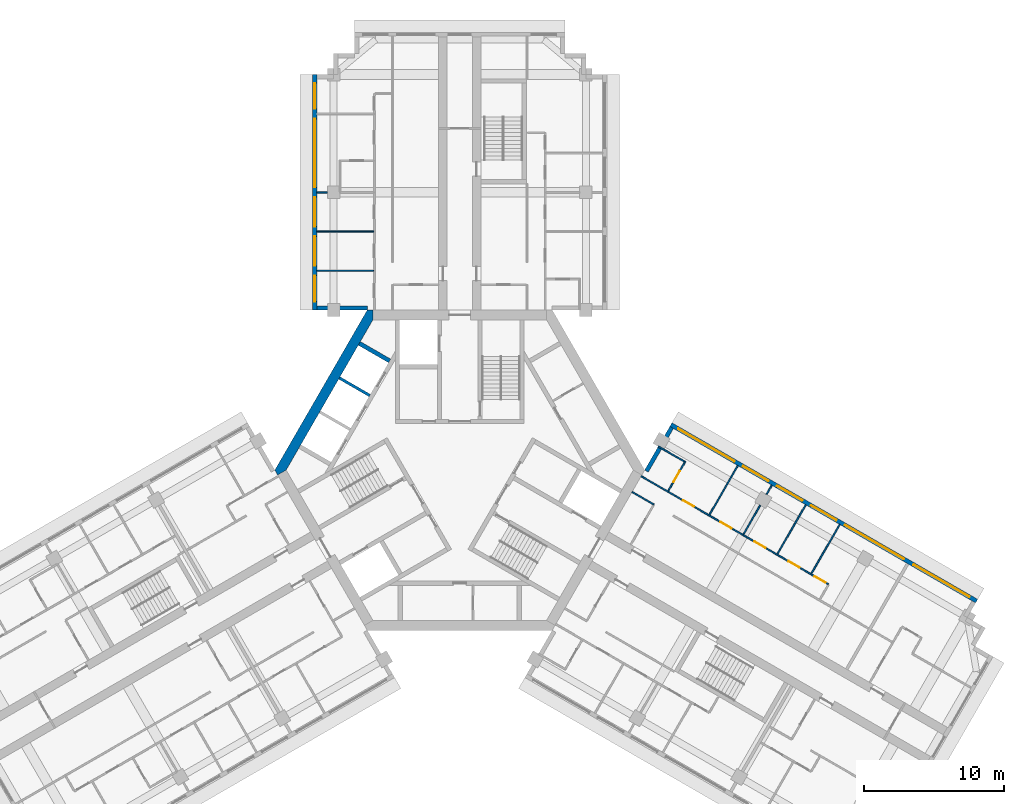
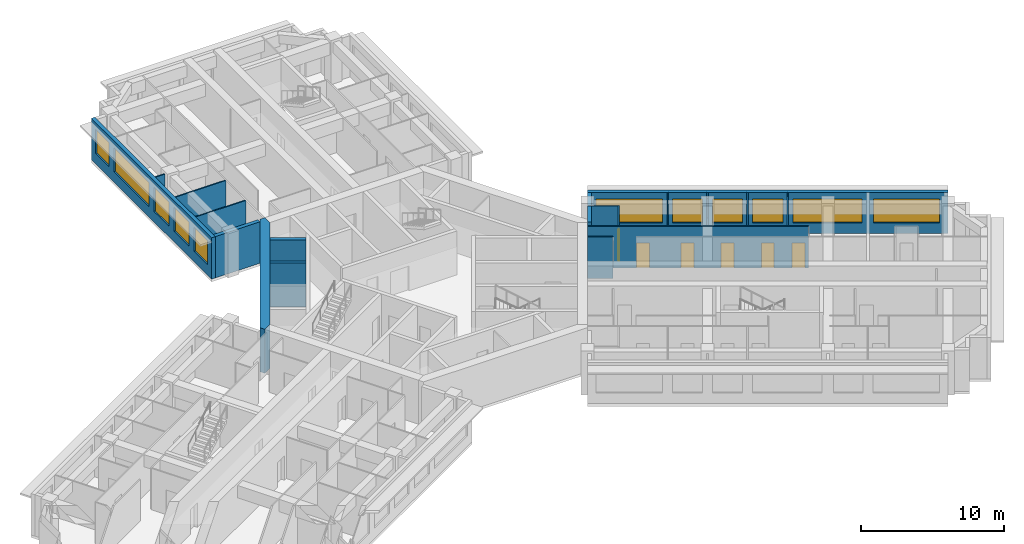
# One storey, part 7 of 12: 19 walls, 11 windows, 6 doors, 17 openings.
"""IFC4 building model written with IfcOpenShell, lengths in metres."""

from ifc_helpers import new_model, si_unit, direction, frame, frame_2d, origin, place, context, subcontext, project, spatial, polyline, rectangle, outline, extrude, material, layer, layer_set, type_object, element, fill, save


model = new_model("IFC4")

# Units and contexts
model_context = context("Model", 3, precision=1e-05, world=origin(), true_north=direction((0.0, 1.0)))
body_context = subcontext(model_context, "Body", "Model", "MODEL_VIEW")
ifc_project = project(units=[si_unit("LENGTHUNIT", "METRE"), si_unit("AREAUNIT", "SQUARE_METRE"), si_unit("VOLUMEUNIT", "CUBIC_METRE"), si_unit("PLANEANGLEUNIT", "RADIAN"), si_unit("MASSUNIT", "GRAM", prefix="KILO")], contexts=[model_context])

# Site, building, storey
site_placement = place(None, origin())
site = spatial("IfcSite", under=ifc_project, at=site_placement, CompositionType="ELEMENT")
building_placement = place(site_placement, origin())
building = spatial("IfcBuilding", under=site, at=building_placement, Name="Impinga Residences", CompositionType="ELEMENT")
storey_placement = place(building_placement, frame((0.0, 0.0, 211.0)))
storey = spatial("IfcBuildingStorey", under=building, at=storey_placement, Name="L52", CompositionType="ELEMENT", Elevation=211.0)

# Wall
ifc_material_1 = material(Name="Terracotta rainscreen on blockwork", Category="masonry")
ifc_layer_1 = layer(ifc_material_1, 0.300048828125)
ifc_layer_set_1 = layer_set([ifc_layer_1], Name="EW1 external wall, terracotta rainscreen on blockwork 300")
wall_type_1 = type_object("IfcWallType", Name="EW1 external wall, terracotta rainscreen on blockwork 300", PredefinedType="SOLIDWALL", material=ifc_layer_set_1)
wall_1_placement = place(storey_placement, frame((-6.60009765625, 11.58154296875, 0.0), z_axis=(0.0, 0.0, 1.0), x_axis=(-1.0, 0.0, 0.0)))
element("IfcWall", 1, at=wall_1_placement, inside=storey, type_object=wall_type_1, Name="External wall EW1 L52", PredefinedType="SOLIDWALL", context=body_context, shape_type="SweptSolid", body=[
    extrude(rectangle(XDim=3.599853515625, YDim=0.300048828125, at=frame_2d((1.7998046875, 0.0))), origin(), (0.0, 0.0, 1.0), 3.530029296875),
])

# Wall, openings, windows
wall_2_placement = place(storey_placement, frame((-10.35009765625, 11.431640625, 0.0), z_axis=(0.0, 0.0, 1.0), x_axis=(0.0, 1.0, 0.0)))
wall_2 = element("IfcWall", 2, at=wall_2_placement, inside=storey, type_object=wall_type_1, Name="External wall EW1 L52", PredefinedType="SOLIDWALL", context=body_context, shape_type="SweptSolid", body=[
    extrude(rectangle(XDim=16.7998046875, YDim=0.300048828125, at=frame_2d((8.39990234375, 0.0))), origin(), (0.0, 0.0, 1.0), 3.530029296875),
])
opening_1_placement = place(wall_2_placement, frame((0.60009765625, 0.0, 0.89990234375)))
opening_1 = element("IfcOpeningElement", 3, at=opening_1_placement, cuts=wall_2, Name="Opening W15", PredefinedType="OPENING", context=body_context, shape_type="SweptSolid", body=[
    extrude(rectangle(XDim=1.85009765625, YDim=2.050048828125, at=frame_2d((0.925048828125, 1.02490234375))), frame((0.0, 0.159912109375, 0.0), z_axis=(0.0, -1.0, 0.0), x_axis=(1.0, 0.0, 0.0)), (0.0, 0.0, 1.0), 0.320068359375),
])
opening_2_placement = place(wall_2_placement, frame((3.14990234375, 0.0, 0.89990234375)))
opening_2 = element("IfcOpeningElement", 4, at=opening_2_placement, cuts=wall_2, Name="Opening W9", PredefinedType="OPENING", context=body_context, shape_type="SweptSolid", body=[
    extrude(rectangle(XDim=2.10009765625, YDim=2.050048828125, at=frame_2d((1.050048828125, 1.02490234375))), frame((0.0, 0.159912109375, 0.0), z_axis=(0.0, -1.0, 0.0), x_axis=(1.0, 0.0, 0.0)), (0.0, 0.0, 1.0), 0.320068359375),
])
opening_3_placement = place(wall_2_placement, frame((5.949951171875, 0.0, 0.89990234375)))
opening_3 = element("IfcOpeningElement", 5, at=opening_3_placement, cuts=wall_2, Name="Opening W9", PredefinedType="OPENING", context=body_context, shape_type="SweptSolid", body=[
    extrude(rectangle(XDim=2.10009765625, YDim=2.050048828125, at=frame_2d((1.050048828125, 1.02490234375))), frame((0.0, 0.159912109375, 0.0), z_axis=(0.0, -1.0, 0.0), x_axis=(1.0, 0.0, 0.0)), (0.0, 0.0, 1.0), 0.320068359375),
])
opening_4_placement = place(wall_2_placement, frame((8.75, 0.0, 0.89990234375)))
opening_4 = element("IfcOpeningElement", 6, at=opening_4_placement, cuts=wall_2, Name="Opening W16", PredefinedType="OPENING", context=body_context, shape_type="SweptSolid", body=[
    extrude(rectangle(XDim=4.89990234375, YDim=2.050048828125, at=frame_2d((2.449951171875, 1.02490234375))), frame((0.0, 0.159912109375, 0.0), z_axis=(0.0, -1.0, 0.0), x_axis=(1.0, 0.0, 0.0)), (0.0, 0.0, 1.0), 0.320068359375),
])
opening_5_placement = place(wall_2_placement, frame((14.35009765625, 0.0, 0.89990234375)))
opening_5 = element("IfcOpeningElement", 7, at=opening_5_placement, cuts=wall_2, Name="Opening W15", PredefinedType="OPENING", context=body_context, shape_type="SweptSolid", body=[
    extrude(rectangle(XDim=1.85009765625, YDim=2.050048828125, at=frame_2d((0.925048828125, 1.02490234375))), frame((0.0, 0.159912109375, 0.0), z_axis=(0.0, -1.0, 0.0), x_axis=(1.0, 0.0, 0.0)), (0.0, 0.0, 1.0), 0.320068359375),
])
ifc_material_2 = material(Name="Aluminium window, clear double glazing", Category="aluminium")
window_type_1 = type_object("IfcWindowType", Name="W15 ribbon window 1850x2050", PartitioningType="SINGLE_PANEL", PredefinedType="WINDOW", material=ifc_material_2)
window_1_placement = place(opening_1_placement, origin())
window_1 = element("IfcWindow", 8, at=window_1_placement, inside=storey, type_object=window_type_1, Name="Window L52", OverallHeight=2.050048828125, OverallWidth=1.85009765625, PartitioningType="SINGLE_PANEL", PredefinedType="WINDOW", context=body_context, shape_type="SweptSolid", body=[
    extrude(rectangle(XDim=1.85009765625, YDim=2.050048828125, at=frame_2d((0.925048828125, 1.02490234375))), frame((0.0, 0.030029296875, 0.0), z_axis=(0.0, -1.0, 0.0), x_axis=(1.0, 0.0, 0.0)), (0.0, 0.0, 1.0), 0.06005859375),
])
fill(opening_1, window_1)
window_2_placement = place(opening_5_placement, origin())
window_2 = element("IfcWindow", 9, at=window_2_placement, inside=storey, type_object=window_type_1, Name="Window L52", OverallHeight=2.050048828125, OverallWidth=1.85009765625, PartitioningType="SINGLE_PANEL", PredefinedType="WINDOW", context=body_context, shape_type="SweptSolid", body=[
    extrude(rectangle(XDim=1.85009765625, YDim=2.050048828125, at=frame_2d((0.925048828125, 1.02490234375))), frame((0.0, 0.030029296875, 0.0), z_axis=(0.0, -1.0, 0.0), x_axis=(1.0, 0.0, 0.0)), (0.0, 0.0, 1.0), 0.06005859375),
])
fill(opening_5, window_2)
window_type_2 = type_object("IfcWindowType", Name="W16 ribbon window 4900x2050", PartitioningType="SINGLE_PANEL", PredefinedType="WINDOW", material=ifc_material_2)
window_3_placement = place(opening_4_placement, origin())
window_3 = element("IfcWindow", 10, at=window_3_placement, inside=storey, type_object=window_type_2, Name="Window L52", OverallHeight=2.050048828125, OverallWidth=4.89990234375, PartitioningType="SINGLE_PANEL", PredefinedType="WINDOW", context=body_context, shape_type="SweptSolid", body=[
    extrude(rectangle(XDim=4.89990234375, YDim=2.050048828125, at=frame_2d((2.449951171875, 1.02490234375))), frame((0.0, 0.030029296875, 0.0), z_axis=(0.0, -1.0, 0.0), x_axis=(1.0, 0.0, 0.0)), (0.0, 0.0, 1.0), 0.06005859375),
])
fill(opening_4, window_3)
window_type_3 = type_object("IfcWindowType", Name="W9 ribbon window 2100x2050", PartitioningType="SINGLE_PANEL", PredefinedType="WINDOW", material=ifc_material_2)
window_4_placement = place(opening_2_placement, origin())
window_4 = element("IfcWindow", 11, at=window_4_placement, inside=storey, type_object=window_type_3, Name="Window L52", OverallHeight=2.050048828125, OverallWidth=2.10009765625, PartitioningType="SINGLE_PANEL", PredefinedType="WINDOW", context=body_context, shape_type="SweptSolid", body=[
    extrude(rectangle(XDim=2.10009765625, YDim=2.050048828125, at=frame_2d((1.050048828125, 1.02490234375))), frame((0.0, 0.030029296875, 0.0), z_axis=(0.0, -1.0, 0.0), x_axis=(1.0, 0.0, 0.0)), (0.0, 0.0, 1.0), 0.06005859375),
])
fill(opening_2, window_4)
window_5_placement = place(opening_3_placement, origin())
window_5 = element("IfcWindow", 12, at=window_5_placement, inside=storey, type_object=window_type_3, Name="Window L52", OverallHeight=2.050048828125, OverallWidth=2.10009765625, PartitioningType="SINGLE_PANEL", PredefinedType="WINDOW", context=body_context, shape_type="SweptSolid", body=[
    extrude(rectangle(XDim=2.10009765625, YDim=2.050048828125, at=frame_2d((1.050048828125, 1.02490234375))), frame((0.0, 0.030029296875, 0.0), z_axis=(0.0, -1.0, 0.0), x_axis=(1.0, 0.0, 0.0)), (0.0, 0.0, 1.0), 0.06005859375),
])
fill(opening_3, window_5)

# Wall
wall_3_placement = place(storey_placement, frame((13.329833984375, -0.074951171875, 0.0), z_axis=(0.0, 0.0, 1.0), x_axis=(0.500012057535, 0.866018442252, 0.0)))
element("IfcWall", 13, at=wall_3_placement, inside=storey, type_object=wall_type_1, Name="External wall EW1 L52", PredefinedType="SOLIDWALL", context=body_context, shape_type="SweptSolid", body=[
    extrude(rectangle(XDim=3.60009765625, YDim=0.300048828125, at=frame_2d((1.800048828125, 0.0))), origin(), (0.0, 0.0, 1.0), 3.530029296875),
])

# Wall, openings, windows
wall_4_placement = place(storey_placement, frame((15.074951171875, 3.24755859375, 0.0), z_axis=(0.0, 0.0, 1.0), x_axis=(0.86602925447, -0.499993330357, 0.0)))
wall_4 = element("IfcWall", 14, at=wall_4_placement, inside=storey, type_object=wall_type_1, Name="External wall EW1 L52", PredefinedType="SOLIDWALL", context=body_context, shape_type="SweptSolid", body=[
    extrude(rectangle(XDim=25.199951171875, YDim=0.300048828125, at=frame_2d((12.60009765625, 0.0))), origin(), (0.0, 0.0, 1.0), 3.530029296875),
])
opening_6_placement = place(wall_4_placement, frame((0.60009765625, 0.0, 0.89990234375)))
opening_6 = element("IfcOpeningElement", 15, at=opening_6_placement, cuts=wall_4, Name="Opening W10", PredefinedType="OPENING", context=body_context, shape_type="SweptSolid", body=[
    extrude(rectangle(XDim=4.64990234375, YDim=2.050048828125, at=frame_2d((2.324951171875, 1.02490234375))), frame((0.0, 0.159912109375, 0.0), z_axis=(0.0, -1.0, 0.0), x_axis=(1.0, 0.0, 0.0)), (0.0, 0.0, 1.0), 0.320068359375),
])
opening_7_placement = place(wall_4_placement, frame((5.949951171875, 0.0, 0.89990234375)))
opening_7 = element("IfcOpeningElement", 16, at=opening_7_placement, cuts=wall_4, Name="Opening W9", PredefinedType="OPENING", context=body_context, shape_type="SweptSolid", body=[
    extrude(rectangle(XDim=2.10009765625, YDim=2.050048828125, at=frame_2d((1.050048828125, 1.02490234375))), frame((0.0, 0.159912109375, 0.0), z_axis=(0.0, -1.0, 0.0), x_axis=(1.0, 0.0, 0.0)), (0.0, 0.0, 1.0), 0.320068359375),
])
opening_8_placement = place(wall_4_placement, frame((8.75, 0.0, 0.89990234375)))
opening_8 = element("IfcOpeningElement", 17, at=opening_8_placement, cuts=wall_4, Name="Opening W9", PredefinedType="OPENING", context=body_context, shape_type="SweptSolid", body=[
    extrude(rectangle(XDim=2.10009765625, YDim=2.050048828125, at=frame_2d((1.050048828125, 1.02490234375))), frame((0.0, 0.159912109375, 0.0), z_axis=(0.0, -1.0, 0.0), x_axis=(1.0, 0.0, 0.0)), (0.0, 0.0, 1.0), 0.320068359375),
])
opening_9_placement = place(wall_4_placement, frame((11.550048828125, 0.0, 0.89990234375)))
opening_9 = element("IfcOpeningElement", 18, at=opening_9_placement, cuts=wall_4, Name="Opening W9", PredefinedType="OPENING", context=body_context, shape_type="SweptSolid", body=[
    extrude(rectangle(XDim=2.10009765625, YDim=2.050048828125, at=frame_2d((1.050048828125, 1.02490234375))), frame((0.0, 0.159912109375, 0.0), z_axis=(0.0, -1.0, 0.0), x_axis=(1.0, 0.0, 0.0)), (0.0, 0.0, 1.0), 0.320068359375),
])
opening_10_placement = place(wall_4_placement, frame((14.35009765625, 0.0, 0.89990234375)))
opening_10 = element("IfcOpeningElement", 19, at=opening_10_placement, cuts=wall_4, Name="Opening W6", PredefinedType="OPENING", context=body_context, shape_type="SweptSolid", body=[
    extrude(rectangle(XDim=4.85009765625, YDim=2.050048828125, at=frame_2d((2.425048828125, 1.02490234375))), frame((0.0, 0.159912109375, 0.0), z_axis=(0.0, -1.0, 0.0), x_axis=(1.0, 0.0, 0.0)), (0.0, 0.0, 1.0), 0.320068359375),
])
opening_11_placement = place(wall_4_placement, frame((20.0, 0.0, 0.89990234375)))
opening_11 = element("IfcOpeningElement", 20, at=opening_11_placement, cuts=wall_4, Name="Opening W3", PredefinedType="OPENING", context=body_context, shape_type="SweptSolid", body=[
    extrude(rectangle(XDim=4.60009765625, YDim=2.050048828125, at=frame_2d((2.300048828125, 1.02490234375))), frame((0.0, 0.159912109375, 0.0), z_axis=(0.0, -1.0, 0.0), x_axis=(1.0, 0.0, 0.0)), (0.0, 0.0, 1.0), 0.320068359375),
])
window_type_4 = type_object("IfcWindowType", Name="W10 ribbon window 4650x2050", PartitioningType="SINGLE_PANEL", PredefinedType="WINDOW", material=ifc_material_2)
window_6_placement = place(opening_6_placement, origin())
window_6 = element("IfcWindow", 21, at=window_6_placement, inside=storey, type_object=window_type_4, Name="Window L52", OverallHeight=2.050048828125, OverallWidth=4.64990234375, PartitioningType="SINGLE_PANEL", PredefinedType="WINDOW", context=body_context, shape_type="SweptSolid", body=[
    extrude(rectangle(XDim=4.64990234375, YDim=2.050048828125, at=frame_2d((2.324951171875, 1.02490234375))), frame((0.0, 0.030029296875, 0.0), z_axis=(0.0, -1.0, 0.0), x_axis=(1.0, 0.0, 0.0)), (0.0, 0.0, 1.0), 0.06005859375),
])
fill(opening_6, window_6)
window_type_5 = type_object("IfcWindowType", Name="W3 ribbon window 4600x2050", PartitioningType="SINGLE_PANEL", PredefinedType="WINDOW", material=ifc_material_2)
window_7_placement = place(opening_11_placement, origin())
window_7 = element("IfcWindow", 22, at=window_7_placement, inside=storey, type_object=window_type_5, Name="Window L52", OverallHeight=2.050048828125, OverallWidth=4.60009765625, PartitioningType="SINGLE_PANEL", PredefinedType="WINDOW", context=body_context, shape_type="SweptSolid", body=[
    extrude(rectangle(XDim=4.60009765625, YDim=2.050048828125, at=frame_2d((2.300048828125, 1.02490234375))), frame((0.0, 0.030029296875, 0.0), z_axis=(0.0, -1.0, 0.0), x_axis=(1.0, 0.0, 0.0)), (0.0, 0.0, 1.0), 0.06005859375),
])
fill(opening_11, window_7)
window_type_6 = type_object("IfcWindowType", Name="W6 ribbon window 4850x2050", PartitioningType="SINGLE_PANEL", PredefinedType="WINDOW", material=ifc_material_2)
window_8_placement = place(opening_10_placement, origin())
window_8 = element("IfcWindow", 23, at=window_8_placement, inside=storey, type_object=window_type_6, Name="Window L52", OverallHeight=2.050048828125, OverallWidth=4.85009765625, PartitioningType="SINGLE_PANEL", PredefinedType="WINDOW", context=body_context, shape_type="SweptSolid", body=[
    extrude(rectangle(XDim=4.85009765625, YDim=2.050048828125, at=frame_2d((2.425048828125, 1.02490234375))), frame((0.0, 0.030029296875, 0.0), z_axis=(0.0, -1.0, 0.0), x_axis=(1.0, 0.0, 0.0)), (0.0, 0.0, 1.0), 0.06005859375),
])
fill(opening_10, window_8)
window_9_placement = place(opening_7_placement, origin())
window_9 = element("IfcWindow", 24, at=window_9_placement, inside=storey, type_object=window_type_3, Name="Window L52", OverallHeight=2.050048828125, OverallWidth=2.10009765625, PartitioningType="SINGLE_PANEL", PredefinedType="WINDOW", context=body_context, shape_type="SweptSolid", body=[
    extrude(rectangle(XDim=2.10009765625, YDim=2.050048828125, at=frame_2d((1.050048828125, 1.02490234375))), frame((0.0, 0.030029296875, 0.0), z_axis=(0.0, -1.0, 0.0), x_axis=(1.0, 0.0, 0.0)), (0.0, 0.0, 1.0), 0.06005859375),
])
fill(opening_7, window_9)
window_10_placement = place(opening_8_placement, origin())
window_10 = element("IfcWindow", 25, at=window_10_placement, inside=storey, type_object=window_type_3, Name="Window L52", OverallHeight=2.050048828125, OverallWidth=2.10009765625, PartitioningType="SINGLE_PANEL", PredefinedType="WINDOW", context=body_context, shape_type="SweptSolid", body=[
    extrude(rectangle(XDim=2.10009765625, YDim=2.050048828125, at=frame_2d((1.050048828125, 1.02490234375))), frame((0.0, 0.030029296875, 0.0), z_axis=(0.0, -1.0, 0.0), x_axis=(1.0, 0.0, 0.0)), (0.0, 0.0, 1.0), 0.06005859375),
])
fill(opening_8, window_10)
window_11_placement = place(opening_9_placement, origin())
window_11 = element("IfcWindow", 26, at=window_11_placement, inside=storey, type_object=window_type_3, Name="Window L52", OverallHeight=2.050048828125, OverallWidth=2.10009765625, PartitioningType="SINGLE_PANEL", PredefinedType="WINDOW", context=body_context, shape_type="SweptSolid", body=[
    extrude(rectangle(XDim=2.10009765625, YDim=2.050048828125, at=frame_2d((1.050048828125, 1.02490234375))), frame((0.0, 0.030029296875, 0.0), z_axis=(0.0, -1.0, 0.0), x_axis=(1.0, 0.0, 0.0)), (0.0, 0.0, 1.0), 0.06005859375),
])
fill(opening_9, window_11)

# Walls
ifc_material_3 = material(Name="Gypsum board on steel studs", Category="steel")
ifc_layer_2 = layer(ifc_material_3, 0.10009765625)
ifc_layer_set_2 = layer_set([ifc_layer_2], Name="Gypsum board on steel studs")
wall_type_2 = type_object("IfcWallType", Name="IP1 partition 100", PredefinedType="PARTITIONING", material=ifc_layer_set_2)
for number, where, z_axis, x_axis, name in (
    (27, (-6.14990234375, 14.2314453125, 0.0), (0.0, 0.0, 1.0), (-1.0, 0.0, 0.0), "Partition L52-NA1:OB1"),
    (28, (-6.14990234375, 17.031494140625, 0.0), (0.0, 0.0, 1.0), (-1.0, 0.0, 0.0), "Partition L52-NA1:OB2"),
):
    element("IfcWall", number, at=place(storey_placement, frame(where, z_axis=z_axis, x_axis=x_axis)), inside=storey, type_object=wall_type_2, Name=name, PredefinedType="PARTITIONING", context=body_context, shape_type="SweptSolid", body=[
        extrude(rectangle(XDim=4.050048828125, YDim=0.10009765625, at=frame_2d((2.02490234375, 0.0))), origin(), (0.0, 0.0, 1.0), 3.530029296875),
    ])
wall_5_placement = place(storey_placement, frame((-9.449951171875, 19.83154296875, 0.0), z_axis=(0.0, 0.0, 1.0), x_axis=(-1.0, 0.0, 0.0)))
element("IfcWall", 29, at=wall_5_placement, inside=storey, type_object=wall_type_2, Name="Partition L52-NA1:OB3b", PredefinedType="PARTITIONING", context=body_context, shape_type="SweptSolid", body=[
    extrude(rectangle(XDim=0.75, YDim=0.10009765625, at=frame_2d((0.375, 0.0))), origin(), (0.0, 0.0, 1.0), 3.530029296875),
])
wall_6_placement = place(storey_placement, frame((12.300048828125, -1.558837890625, 0.0), z_axis=(0.0, 0.0, 1.0), x_axis=(0.866047807691, -0.499961193289, 0.0)))
element("IfcWall", 30, at=wall_6_placement, inside=storey, type_object=wall_type_2, Name="Partition L52-EA1:DIV0", PredefinedType="PARTITIONING", context=body_context, shape_type="SweptSolid", body=[
    extrude(rectangle(XDim=1.800048828125, YDim=0.10009765625, at=frame_2d((0.89990234375, 0.0))), origin(), (0.0, 0.0, 1.0), 3.530029296875),
])

# Wall, openings, doors
wall_7_placement = place(storey_placement, frame((12.949951171875, -0.43310546875, 0.0), z_axis=(0.0, 0.0, 1.0), x_axis=(0.866030066916, -0.499991923133, 0.0)))
wall_7 = element("IfcWall", 31, at=wall_7_placement, inside=storey, type_object=wall_type_2, Name="Partition L52-EA1:STRIP", PredefinedType="PARTITIONING", context=body_context, shape_type="SweptSolid", body=[
    extrude(rectangle(XDim=15.449951171875, YDim=0.10009765625, at=frame_2d((7.72509765625, 0.0))), origin(), (0.0, 0.0, 1.0), 3.530029296875),
])
opening_12_placement = place(wall_7_placement, frame((3.449951171875, 0.0, 0.0)))
opening_12 = element("IfcOpeningElement", 32, at=opening_12_placement, cuts=wall_7, Name="Opening D2", PredefinedType="OPENING", context=body_context, shape_type="SweptSolid", body=[
    extrude(rectangle(XDim=0.89990234375, YDim=2.10009765625, at=frame_2d((0.449951171875, 1.050048828125))), frame((0.0, 0.06005859375, 0.0), z_axis=(0.0, -1.0, 0.0), x_axis=(1.0, 0.0, 0.0)), (0.0, 0.0, 1.0), 0.1201171875),
])
opening_13_placement = place(wall_7_placement, frame((6.550048828125, 0.0, 0.0)))
opening_13 = element("IfcOpeningElement", 33, at=opening_13_placement, cuts=wall_7, Name="Opening D2", PredefinedType="OPENING", context=body_context, shape_type="SweptSolid", body=[
    extrude(rectangle(XDim=0.89990234375, YDim=2.10009765625, at=frame_2d((0.449951171875, 1.050048828125))), frame((0.0, 0.06005859375, 0.0), z_axis=(0.0, -1.0, 0.0), x_axis=(1.0, 0.0, 0.0)), (0.0, 0.0, 1.0), 0.1201171875),
])
opening_14_placement = place(wall_7_placement, frame((9.35009765625, 0.0, 0.0)))
opening_14 = element("IfcOpeningElement", 34, at=opening_14_placement, cuts=wall_7, Name="Opening D2", PredefinedType="OPENING", context=body_context, shape_type="SweptSolid", body=[
    extrude(rectangle(XDim=0.89990234375, YDim=2.10009765625, at=frame_2d((0.449951171875, 1.050048828125))), frame((0.0, 0.06005859375, 0.0), z_axis=(0.0, -1.0, 0.0), x_axis=(1.0, 0.0, 0.0)), (0.0, 0.0, 1.0), 0.1201171875),
])
opening_15_placement = place(wall_7_placement, frame((12.14990234375, 0.0, 0.0)))
opening_15 = element("IfcOpeningElement", 35, at=opening_15_placement, cuts=wall_7, Name="Opening D2", PredefinedType="OPENING", context=body_context, shape_type="SweptSolid", body=[
    extrude(rectangle(XDim=0.89990234375, YDim=2.10009765625, at=frame_2d((0.449951171875, 1.050048828125))), frame((0.0, 0.06005859375, 0.0), z_axis=(0.0, -1.0, 0.0), x_axis=(1.0, 0.0, 0.0)), (0.0, 0.0, 1.0), 0.1201171875),
])
opening_16_placement = place(wall_7_placement, frame((14.300048828125, 0.0, 0.0)))
opening_16 = element("IfcOpeningElement", 36, at=opening_16_placement, cuts=wall_7, Name="Opening D2", PredefinedType="OPENING", context=body_context, shape_type="SweptSolid", body=[
    extrude(rectangle(XDim=0.89990234375, YDim=2.10009765625, at=frame_2d((0.449951171875, 1.050048828125))), frame((0.0, 0.06005859375, 0.0), z_axis=(0.0, -1.0, 0.0), x_axis=(1.0, 0.0, 0.0)), (0.0, 0.0, 1.0), 0.1201171875),
])
ifc_material_4 = material(Name="Timber door set", Category="wood")
door_type = type_object("IfcDoorType", Name="D2 internal door 900x2100", OperationType="SINGLE_SWING_LEFT", PredefinedType="DOOR", material=ifc_material_4)
door_1_placement = place(opening_12_placement, origin())
door_1 = element("IfcDoor", 37, at=door_1_placement, inside=storey, type_object=door_type, Name="Apartment L52-EA1 room door", OperationType="SINGLE_SWING_LEFT", OverallHeight=2.10009765625, OverallWidth=0.89990234375, PredefinedType="DOOR", context=body_context, shape_type="SweptSolid", body=[
    extrude(rectangle(XDim=0.89990234375, YDim=2.10009765625, at=frame_2d((0.449951171875, 1.050048828125))), frame((0.0, 0.02490234375, 0.0), z_axis=(0.0, -1.0, 0.0), x_axis=(1.0, 0.0, 0.0)), (0.0, 0.0, 1.0), 0.050048828125),
])
fill(opening_12, door_1)
door_2_placement = place(opening_13_placement, origin())
door_2 = element("IfcDoor", 38, at=door_2_placement, inside=storey, type_object=door_type, Name="Apartment L52-EA1 room door", OperationType="SINGLE_SWING_LEFT", OverallHeight=2.10009765625, OverallWidth=0.89990234375, PredefinedType="DOOR", context=body_context, shape_type="SweptSolid", body=[
    extrude(rectangle(XDim=0.89990234375, YDim=2.10009765625, at=frame_2d((0.449951171875, 1.050048828125))), frame((0.0, 0.02490234375, 0.0), z_axis=(0.0, -1.0, 0.0), x_axis=(1.0, 0.0, 0.0)), (0.0, 0.0, 1.0), 0.050048828125),
])
fill(opening_13, door_2)
door_3_placement = place(opening_14_placement, origin())
door_3 = element("IfcDoor", 39, at=door_3_placement, inside=storey, type_object=door_type, Name="Apartment L52-EA1 room door", OperationType="SINGLE_SWING_RIGHT", OverallHeight=2.10009765625, OverallWidth=0.89990234375, PredefinedType="DOOR", context=body_context, shape_type="SweptSolid", body=[
    extrude(rectangle(XDim=0.89990234375, YDim=2.10009765625, at=frame_2d((0.449951171875, 1.050048828125))), frame((0.0, 0.02490234375, 0.0), z_axis=(0.0, -1.0, 0.0), x_axis=(1.0, 0.0, 0.0)), (0.0, 0.0, 1.0), 0.050048828125),
])
fill(opening_14, door_3)
door_4_placement = place(opening_15_placement, origin())
door_4 = element("IfcDoor", 40, at=door_4_placement, inside=storey, type_object=door_type, Name="Apartment L52-EA1 room door", OperationType="SINGLE_SWING_RIGHT", OverallHeight=2.10009765625, OverallWidth=0.89990234375, PredefinedType="DOOR", context=body_context, shape_type="SweptSolid", body=[
    extrude(rectangle(XDim=0.89990234375, YDim=2.10009765625, at=frame_2d((0.449951171875, 1.050048828125))), frame((0.0, 0.02490234375, 0.0), z_axis=(0.0, -1.0, 0.0), x_axis=(1.0, 0.0, 0.0)), (0.0, 0.0, 1.0), 0.050048828125),
])
fill(opening_15, door_4)
door_5_placement = place(opening_16_placement, origin())
door_5 = element("IfcDoor", 41, at=door_5_placement, inside=storey, type_object=door_type, Name="Apartment L52-EA1 room door", OperationType="SINGLE_SWING_RIGHT", OverallHeight=2.10009765625, OverallWidth=0.89990234375, PredefinedType="DOOR", context=body_context, shape_type="SweptSolid", body=[
    extrude(rectangle(XDim=0.89990234375, YDim=2.10009765625, at=frame_2d((0.449951171875, 1.050048828125))), frame((0.0, 0.02490234375, 0.0), z_axis=(0.0, -1.0, 0.0), x_axis=(1.0, 0.0, 0.0)), (0.0, 0.0, 1.0), 0.050048828125),
])
fill(opening_16, door_5)

# Walls
wall_8_placement = place(storey_placement, frame((17.82470703125, -3.189697265625, 0.0), z_axis=(0.0, 0.0, 1.0), x_axis=(0.500035537042, 0.866004885491, 0.0)))
element("IfcWall", 42, at=wall_8_placement, inside=storey, type_object=wall_type_2, Name="Partition L52-EA1:OB1", PredefinedType="PARTITIONING", context=body_context, shape_type="SweptSolid", body=[
    extrude(rectangle(XDim=4.050048828125, YDim=0.10009765625, at=frame_2d((2.02490234375, 0.0))), origin(), (0.0, 0.0, 1.0), 3.530029296875),
])
wall_9_placement = place(storey_placement, frame((20.24951171875, -4.589599609375, 0.0), z_axis=(0.0, 0.0, 1.0), x_axis=(0.500077600433, 0.865980596518, 0.0)))
element("IfcWall", 43, at=wall_9_placement, inside=storey, type_object=wall_type_2, Name="Partition L52-EA1:OB2", PredefinedType="PARTITIONING", context=body_context, shape_type="SweptSolid", body=[
    extrude(rectangle(XDim=2.39990234375, YDim=0.10009765625, at=frame_2d((1.199951171875, 0.0))), origin(), (0.0, 0.0, 1.0), 2.47998046875),
])
wall_10_placement = place(storey_placement, frame((21.899658203125, -1.73193359375, 0.0), z_axis=(0.0, 0.0, 1.0), x_axis=(0.499919672301, 0.866071776036, 0.0)))
element("IfcWall", 44, at=wall_10_placement, inside=storey, type_object=wall_type_2, Name="Partition L52-EA1:OB2b", PredefinedType="PARTITIONING", context=body_context, shape_type="SweptSolid", body=[
    extrude(rectangle(XDim=0.75, YDim=0.10009765625, at=frame_2d((0.375, 0.0))), origin(), (0.0, 0.0, 1.0), 3.530029296875),
])
for number, where, z_axis, x_axis, name in (
    (45, (22.674560546875, -5.98974609375, 0.0), (0.0, 0.0, 1.0), (0.499990325971, 0.866030989016, 0.0), "Partition L52-EA1:OB3"),
    (46, (25.099365234375, -7.3896484375, 0.0), (0.0, 0.0, 1.0), (0.499990325971, 0.866030989016, 0.0), "Partition L52-EA1:OB4"),
):
    element("IfcWall", number, at=place(storey_placement, frame(where, z_axis=z_axis, x_axis=x_axis)), inside=storey, type_object=wall_type_2, Name=name, PredefinedType="PARTITIONING", context=body_context, shape_type="SweptSolid", body=[
        extrude(rectangle(XDim=4.0498046875, YDim=0.10009765625, at=frame_2d((2.02490234375, 0.0))), origin(), (0.0, 0.0, 1.0), 3.530029296875),
    ])

# Wall, opening, door
wall_11_placement = place(storey_placement, frame((14.88037109375, -1.48974609375, 0.0), z_axis=(0.0, 0.0, 1.0), x_axis=(0.499943856944, 0.866057815567, 0.0)))
wall_11 = element("IfcWall", 47, at=wall_11_placement, inside=storey, type_object=wall_type_2, Name="Partition L52-EA1:EN1", PredefinedType="PARTITIONING", context=body_context, shape_type="SweptSolid", body=[
    extrude(rectangle(XDim=2.449951171875, YDim=0.10009765625, at=frame_2d((1.22509765625, 0.0))), origin(), (0.0, 0.0, 1.0), 3.530029296875),
])
opening_17_placement = place(wall_11_placement, frame((0.75, 0.0, 0.0)))
opening_17 = element("IfcOpeningElement", 48, at=opening_17_placement, cuts=wall_11, Name="Opening D2", PredefinedType="OPENING", context=body_context, shape_type="SweptSolid", body=[
    extrude(rectangle(XDim=0.89990234375, YDim=2.10009765625, at=frame_2d((0.449951171875, 1.050048828125))), frame((0.0, 0.06005859375, 0.0), z_axis=(0.0, -1.0, 0.0), x_axis=(1.0, 0.0, 0.0)), (0.0, 0.0, 1.0), 0.1201171875),
])
door_6_placement = place(opening_17_placement, origin())
door_6 = element("IfcDoor", 49, at=door_6_placement, inside=storey, type_object=door_type, Name="Apartment L52-EA1 en-suite door", OperationType="SINGLE_SWING_LEFT", OverallHeight=2.10009765625, OverallWidth=0.89990234375, PredefinedType="DOOR", context=body_context, shape_type="SweptSolid", body=[
    extrude(rectangle(XDim=0.89990234375, YDim=2.10009765625, at=frame_2d((0.449951171875, 1.050048828125))), frame((0.0, 0.02490234375, 0.0), z_axis=(0.0, -1.0, 0.0), x_axis=(1.0, 0.0, 0.0)), (0.0, 0.0, 1.0), 0.050048828125),
])
fill(opening_17, door_6)

# Walls
wall_12_placement = place(storey_placement, frame((14.175048828125, 1.688720703125, 0.0), z_axis=(0.0, 0.0, 1.0), x_axis=(0.866019166195, -0.500010803666, 0.0)))
element("IfcWall", 50, at=wall_12_placement, inside=storey, type_object=wall_type_2, Name="Partition L52-EA1:EN2", PredefinedType="PARTITIONING", context=body_context, shape_type="SweptSolid", body=[
    extrude(rectangle(XDim=2.14990234375, YDim=0.10009765625, at=frame_2d((1.074951171875, 0.0))), origin(), (0.0, 0.0, 1.0), 3.530029296875),
])
ifc_material_5 = material(Name="Concrete C60/75", Category="concrete")
ifc_layer_3 = layer(ifc_material_5, 0.699951171875)
ifc_layer_set_3 = layer_set([ifc_layer_3], Name="Concrete C60/75")
wall_type_3 = type_object("IfcWallType", Name="SW3 core wall 700", PredefinedType="SHEAR", material=ifc_layer_set_3)
wall_13_placement = place(storey_placement, origin())
element("IfcWall", 51, at=wall_13_placement, inside=storey, type_object=wall_type_3, Name="Core wall SW3 E:EXPOSED L52", PredefinedType="SHEAR", context=body_context, shape_type="SweptSolid", body=[
    extrude(outline(polyline([(-6.60009765625, 11.431640625), (-13.199951171875, 0.0), (-12.998046875, -0.35009765625), (-12.3916015625, 0.0), (-6.19580078125, 10.7314453125), (-6.19580078125, 11.431640625), (-6.60009765625, 11.431640625)])), origin(), (0.0, 0.0, 1.0), 3.75),
])
ifc_material_6 = material(Name="Concrete C70/85", Category="concrete")
ifc_layer_4 = layer(ifc_material_6, 0.300048828125)
ifc_layer_set_4 = layer_set([ifc_layer_4], Name="Concrete C70/85")
wall_type_4 = type_object("IfcWallType", Name="SW5 core inner wall, stairs, shafts and lobbies 300", PredefinedType="SHEAR", material=ifc_layer_set_4)
wall_14_placement = place(storey_placement, frame((-5.003662109375, 7.79638671875, 0.0), z_axis=(0.0, 0.0, 1.0), x_axis=(-0.866022959057, 0.500004234368, 0.0)))
element("IfcWall", 52, at=wall_14_placement, inside=storey, type_object=wall_type_4, Name="Core wall SW5 E:BANK-R L52", PredefinedType="SHEAR", context=body_context, shape_type="SweptSolid", body=[
    extrude(rectangle(XDim=2.5, YDim=0.300048828125, at=frame_2d((1.25, 0.0))), origin(), (0.0, 0.0, 1.0), 3.75),
])
ifc_layer_5 = layer(ifc_material_6, 0.199951171875)
ifc_layer_set_5 = layer_set([ifc_layer_5], Name="Concrete C70/85")
wall_type_5 = type_object("IfcWallType", Name="SW6 lift shaft divider wall 200", PredefinedType="SHEAR", material=ifc_layer_set_5)
wall_15_placement = place(storey_placement, frame((-6.4287109375, 5.328125, 0.0), z_axis=(0.0, 0.0, 1.0), x_axis=(-0.866022959057, 0.500004234368, 0.0)))
element("IfcWall", 53, at=wall_15_placement, inside=storey, type_object=wall_type_5, Name="Core wall SW6 E:BANK-D2 L52", PredefinedType="SHEAR", context=body_context, shape_type="SweptSolid", body=[
    extrude(rectangle(XDim=2.5, YDim=0.199951171875, at=frame_2d((1.25, 0.0))), origin(), (0.0, 0.0, 1.0), 3.75),
])

save(model, "model.ifc")
